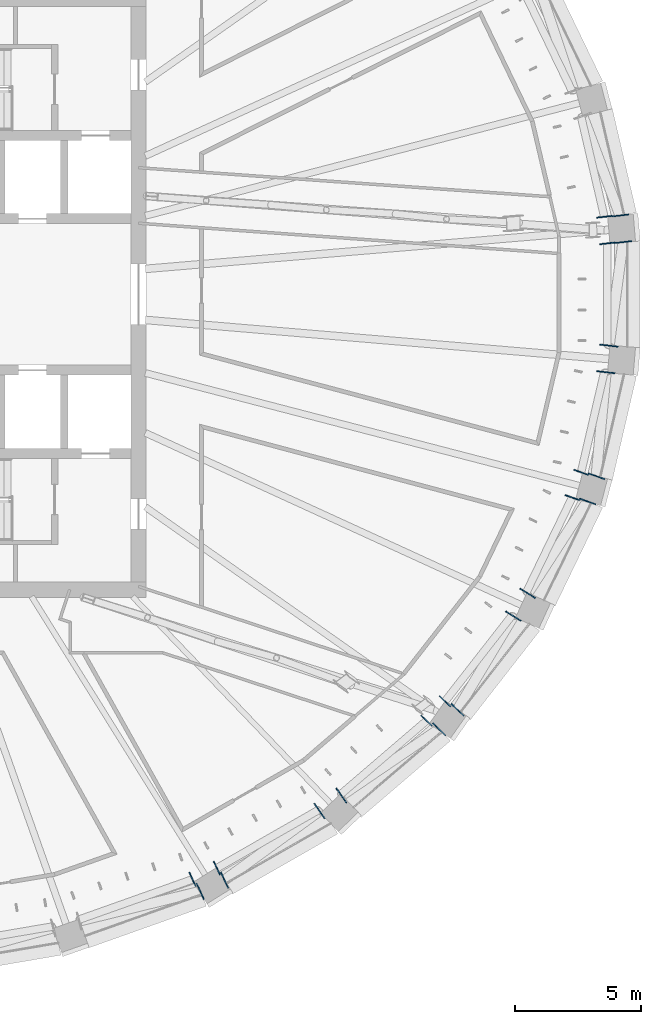
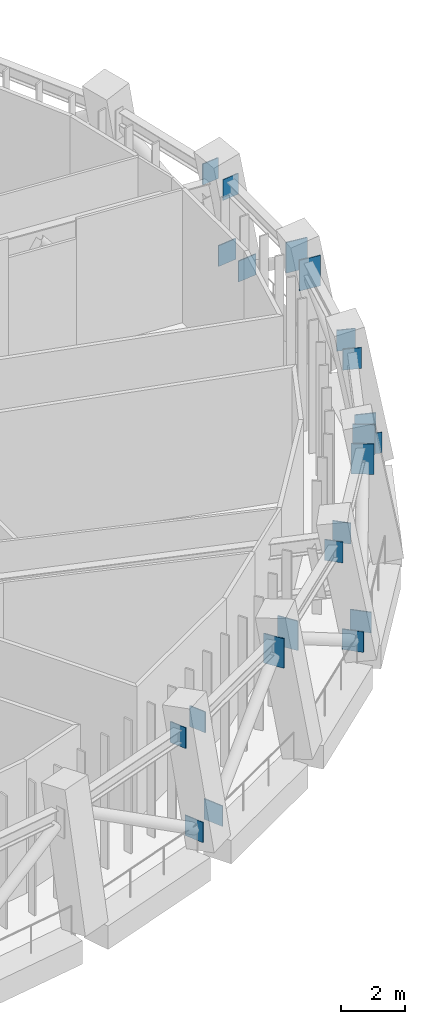
# One storey, part 13 of 20: 22 discrete accessories.
"""IFC4 building model written with IfcOpenShell, lengths in metres."""

from ifc_helpers import new_model, si_unit, direction, frame, origin, origin_2d, place, context, subcontext, project, spatial, rectangle, extrude, material, layer, layer_set, type_object, element, save


model = new_model("IFC4")

# Units and contexts
model_context = context("Model", 3, precision=1e-05, world=origin(), true_north=direction((0.0, 1.0)))
body_context = subcontext(model_context, "Body", "Model", "MODEL_VIEW")
ifc_project = project(units=[si_unit("LENGTHUNIT", "METRE"), si_unit("AREAUNIT", "SQUARE_METRE"), si_unit("VOLUMEUNIT", "CUBIC_METRE"), si_unit("PLANEANGLEUNIT", "RADIAN"), si_unit("MASSUNIT", "GRAM", prefix="KILO")], contexts=[model_context])

# Site, building, storey
site_placement = place(None, origin())
site = spatial("IfcSite", under=ifc_project, at=site_placement, CompositionType="ELEMENT")
building_placement = place(site_placement, origin())
building = spatial("IfcBuilding", under=site, at=building_placement, Name="Halqa Exchange Tower", CompositionType="ELEMENT")
storey_placement = place(building_placement, frame((0.0, 0.0, 250.89990234375)))
storey = spatial("IfcBuildingStorey", under=building, at=storey_placement, Name="L58", CompositionType="ELEMENT", Elevation=250.89990234375)

# Discrete accessories
ifc_material = material(Name="Steel S355", Category="steel")
ifc_layer = layer(ifc_material, 0.0400390625)
ifc_layer_set = layer_set([ifc_layer], Name="Steel S355")
discrete_accessory_type = type_object("IfcDiscreteAccessoryType", Name="Belt truss anchor plate 40", PredefinedType="ANCHORPLATE", material=ifc_layer_set)
for number, where, z_axis, x_axis, name in (
    (1, (30.159423828125, 3.055908203125, 4.25), (-0.115780500934, 0.993274823804, 0.0), (-0.993274823804, -0.115780500934, 0.0), "Belt truss anchor plate"),
    (2, (30.275390625, 2.04248046875, 4.25), (0.115780500934, -0.993274823804, 0.0), (0.993274823804, 0.115780500934, 0.0), "Belt truss anchor plate"),
):
    element("IfcDiscreteAccessory", number, at=place(storey_placement, frame(where, z_axis=z_axis, x_axis=x_axis)), inside=storey, type_object=discrete_accessory_type, Name=name, PredefinedType="ANCHORPLATE", context=body_context, shape_type="SweptSolid", body=[
        extrude(rectangle(XDim=0.60009765625, YDim=0.800048828125, at=origin_2d()), origin(), (0.0, 0.0, 1.0), 0.0400390625),
    ])
discrete_accessory_1_placement = place(storey_placement, frame((30.79296875, 3.107666015625, 0.8818359375), z_axis=(-0.116485527129, 0.993192389202, 0.0), x_axis=(-0.993192389202, -0.116485527129, 0.0)))
element("IfcDiscreteAccessory", 3, at=discrete_accessory_1_placement, inside=storey, type_object=discrete_accessory_type, Name="Belt truss anchor plate", PredefinedType="ANCHORPLATE", context=body_context, shape_type="SweptSolid", body=[
    extrude(rectangle(XDim=0.681884765625, YDim=0.798095703125, at=origin_2d()), origin(), (0.0, 0.0, 1.0), 0.039794921875),
])
discrete_accessory_2_placement = place(storey_placement, frame((30.90869140625, 2.093994140625, 0.88671875), z_axis=(0.110431526075, -0.993883734674, 0.0), x_axis=(0.993883734674, 0.110431526075, 0.0)))
element("IfcDiscreteAccessory", 4, at=discrete_accessory_2_placement, inside=storey, type_object=discrete_accessory_type, Name="Belt truss anchor plate", PredefinedType="ANCHORPLATE", context=body_context, shape_type="SweptSolid", body=[
    extrude(rectangle(XDim=0.679931640625, YDim=0.801025390625, at=origin_2d()), origin(), (0.0, 0.0, 1.0), 0.039794921875),
])
discrete_accessory_3_placement = place(storey_placement, frame((14.785400390625, -22.74267578125, 4.25), z_axis=(0.9097381412, 0.415182507393, 0.0), x_axis=(-0.415182507393, 0.9097381412, 0.0)))
element("IfcDiscreteAccessory", 5, at=discrete_accessory_3_placement, inside=storey, type_object=discrete_accessory_type, Name="Belt truss anchor plate", PredefinedType="ANCHORPLATE", context=body_context, shape_type="SweptSolid", body=[
    extrude(rectangle(XDim=0.60009765625, YDim=0.800048828125, at=origin_2d()), origin(), (0.0, 0.0, 1.0), 0.0400390625),
])
discrete_accessory_4_placement = place(storey_placement, frame((13.8583984375, -23.16845703125, 4.25), z_axis=(-0.908676843963, -0.417500171551, 0.0), x_axis=(0.417500171551, -0.908676843963, 0.0)))
element("IfcDiscreteAccessory", 6, at=discrete_accessory_4_placement, inside=storey, type_object=discrete_accessory_type, Name="Belt truss anchor plate", PredefinedType="ANCHORPLATE", context=body_context, shape_type="SweptSolid", body=[
    extrude(rectangle(XDim=0.60009765625, YDim=0.800048828125, at=origin_2d()), origin(), (0.0, 0.0, 1.0), 0.039794921875),
])
discrete_accessory_5_placement = place(storey_placement, frame((15.088623046875, -23.215087890625, 0.849365234375), z_axis=(0.90742390538, 0.420216439404, 0.0), x_axis=(-0.420216439404, 0.90742390538, 0.0)))
element("IfcDiscreteAccessory", 7, at=discrete_accessory_5_placement, inside=storey, type_object=discrete_accessory_type, Name="Belt truss anchor plate", PredefinedType="ANCHORPLATE", context=body_context, shape_type="SweptSolid", body=[
    extrude(rectangle(XDim=0.7060546875, YDim=0.785888671875, at=origin_2d()), origin(), (0.0, 0.0, 1.0), 0.0400390625),
])
discrete_accessory_6_placement = place(storey_placement, frame((14.16357421875, -23.64453125, 0.832275390625), z_axis=(-0.9097381412, -0.415182507393, 0.0), x_axis=(0.415182507393, -0.9097381412, 0.0)))
element("IfcDiscreteAccessory", 8, at=discrete_accessory_6_placement, inside=storey, type_object=discrete_accessory_type, Name="Belt truss anchor plate", PredefinedType="ANCHORPLATE", context=body_context, shape_type="SweptSolid", body=[
    extrude(rectangle(XDim=0.7060546875, YDim=0.779052734375, at=origin_2d()), origin(), (0.0, 0.0, 1.0), 0.0400390625),
])
discrete_accessory_7_placement = place(storey_placement, frame((19.720703125, -19.869140625, 4.083251953125), z_axis=(0.81865747399, 0.57428210862, 0.0), x_axis=(-0.57428210862, 0.81865747399, 0.0)))
element("IfcDiscreteAccessory", 9, at=discrete_accessory_7_placement, inside=storey, type_object=discrete_accessory_type, Name="Belt truss anchor plate", PredefinedType="ANCHORPLATE", context=body_context, shape_type="SweptSolid", body=[
    extrude(rectangle(XDim=0.7109375, YDim=1.134033203125, at=origin_2d()), origin(), (0.0, 0.0, 1.0), 0.0400390625),
])
discrete_accessory_8_placement = place(storey_placement, frame((18.886962890625, -20.45654296875, 4.08251953125), z_axis=(-0.81865747399, -0.57428210862, 0.0), x_axis=(0.57428210862, -0.81865747399, 0.0)))
element("IfcDiscreteAccessory", 10, at=discrete_accessory_8_placement, inside=storey, type_object=discrete_accessory_type, Name="Belt truss anchor plate", PredefinedType="ANCHORPLATE", context=body_context, shape_type="SweptSolid", body=[
    extrude(rectangle(XDim=0.7099609375, YDim=1.135009765625, at=origin_2d()), origin(), (0.0, 0.0, 1.0), 0.0400390625),
])
discrete_accessory_9_placement = place(storey_placement, frame((23.831787109375, -16.137939453125, 4.25), z_axis=(0.694812020929, 0.719191390085, 0.0), x_axis=(-0.719191390085, 0.694812020929, 0.0)))
element("IfcDiscreteAccessory", 11, at=discrete_accessory_9_placement, inside=storey, type_object=discrete_accessory_type, Name="Belt truss anchor plate", PredefinedType="ANCHORPLATE", context=body_context, shape_type="SweptSolid", body=[
    extrude(rectangle(XDim=0.60009765625, YDim=0.800048828125, at=origin_2d()), origin(), (0.0, 0.0, 1.0), 0.0400390625),
])
discrete_accessory_10_placement = place(storey_placement, frame((23.127685546875, -16.8759765625, 4.25), z_axis=(-0.691639439628, -0.722242954656, 0.0), x_axis=(0.722242954656, -0.691639439628, 0.0)))
element("IfcDiscreteAccessory", 12, at=discrete_accessory_10_placement, inside=storey, type_object=discrete_accessory_type, Name="Belt truss anchor plate", PredefinedType="ANCHORPLATE", context=body_context, shape_type="SweptSolid", body=[
    extrude(rectangle(XDim=0.60009765625, YDim=0.800048828125, at=origin_2d()), origin(), (0.0, 0.0, 1.0), 0.039794921875),
])
discrete_accessory_11_placement = place(storey_placement, frame((24.326416015625, -16.47509765625, 0.8720703125), z_axis=(0.691639439628, 0.722242954656, 0.0), x_axis=(-0.722242954656, 0.691639439628, 0.0)))
element("IfcDiscreteAccessory", 13, at=discrete_accessory_11_placement, inside=storey, type_object=discrete_accessory_type, Name="Belt truss anchor plate", PredefinedType="ANCHORPLATE", context=body_context, shape_type="SweptSolid", body=[
    extrude(rectangle(XDim=0.693115234375, YDim=0.794921875, at=origin_2d()), origin(), (0.0, 0.0, 1.0), 0.039794921875),
])
discrete_accessory_12_placement = place(storey_placement, frame((23.623779296875, -17.214599609375, 0.847412109375), z_axis=(-0.691639439628, -0.722242954656, 0.0), x_axis=(0.722242954656, -0.691639439628, 0.0)))
element("IfcDiscreteAccessory", 14, at=discrete_accessory_12_placement, inside=storey, type_object=discrete_accessory_type, Name="Belt truss anchor plate", PredefinedType="ANCHORPLATE", context=body_context, shape_type="SweptSolid", body=[
    extrude(rectangle(XDim=0.700927734375, YDim=0.784912109375, at=origin_2d()), origin(), (0.0, 0.0, 1.0), 0.039794921875),
])
discrete_accessory_13_placement = place(storey_placement, frame((27.103515625, -11.861572265625, 4.0712890625), z_axis=(0.526143980405, 0.850395503212, 0.0), x_axis=(-0.850395503212, 0.526143980405, 0.0)))
element("IfcDiscreteAccessory", 15, at=discrete_accessory_13_placement, inside=storey, type_object=discrete_accessory_type, Name="Belt truss anchor plate", PredefinedType="ANCHORPLATE", context=body_context, shape_type="SweptSolid", body=[
    extrude(rectangle(XDim=0.718017578125, YDim=1.157958984375, at=origin_2d()), origin(), (0.0, 0.0, 1.0), 0.039794921875),
])
discrete_accessory_14_placement = place(storey_placement, frame((26.564453125, -12.7275390625, 4.0703125), z_axis=(-0.530546985787, -0.847655529016, 0.0), x_axis=(0.847655529016, -0.530546985787, 0.0)))
element("IfcDiscreteAccessory", 16, at=discrete_accessory_14_placement, inside=storey, type_object=discrete_accessory_type, Name="Belt truss anchor plate", PredefinedType="ANCHORPLATE", context=body_context, shape_type="SweptSolid", body=[
    extrude(rectangle(XDim=0.717041015625, YDim=1.159912109375, at=origin_2d()), origin(), (0.0, 0.0, 1.0), 0.0400390625),
])
for number, where, z_axis, x_axis, name in (
    (17, (29.22802734375, -7.0693359375, 4.25), (0.336336396998, 0.941741911595, 0.0), (-0.941741911595, 0.336336396998, 0.0), "Belt truss anchor plate"),
    (18, (28.888916015625, -8.03125, 4.25), (-0.334409845171, -0.942427745481, 0.0), (0.942427745481, -0.334409845171, 0.0), "Belt truss anchor plate"),
):
    element("IfcDiscreteAccessory", number, at=place(storey_placement, frame(where, z_axis=z_axis, x_axis=x_axis)), inside=storey, type_object=discrete_accessory_type, Name=name, PredefinedType="ANCHORPLATE", context=body_context, shape_type="SweptSolid", body=[
        extrude(rectangle(XDim=0.60009765625, YDim=0.800048828125, at=origin_2d()), origin(), (0.0, 0.0, 1.0), 0.0400390625),
    ])
discrete_accessory_15_placement = place(storey_placement, frame((29.837158203125, -7.22265625, 0.8876953125), z_axis=(0.328993186606, 0.944332294887, 0.0), x_axis=(-0.944332294887, 0.328993186606, 0.0)))
element("IfcDiscreteAccessory", 19, at=discrete_accessory_15_placement, inside=storey, type_object=discrete_accessory_type, Name="Belt truss anchor plate", PredefinedType="ANCHORPLATE", context=body_context, shape_type="SweptSolid", body=[
    extrude(rectangle(XDim=0.680908203125, YDim=0.801025390625, at=origin_2d()), origin(), (0.0, 0.0, 1.0), 0.0400390625),
])
discrete_accessory_16_placement = place(storey_placement, frame((29.499267578125, -8.18505859375, 0.871826171875), z_axis=(-0.330896267797, -0.943667134088, 0.0), x_axis=(0.943667134088, -0.330896267797, 0.0)))
element("IfcDiscreteAccessory", 20, at=discrete_accessory_16_placement, inside=storey, type_object=discrete_accessory_type, Name="Belt truss anchor plate", PredefinedType="ANCHORPLATE", context=body_context, shape_type="SweptSolid", body=[
    extrude(rectangle(XDim=0.68701171875, YDim=0.7939453125, at=origin_2d()), origin(), (0.0, 0.0, 1.0), 0.039794921875),
])
discrete_accessory_17_placement = place(storey_placement, frame((30.33642578125, -2.049560546875, 4.0625), z_axis=(0.115780500934, 0.993274823804, 0.0), x_axis=(-0.993274823804, 0.115780500934, 0.0)))
element("IfcDiscreteAccessory", 21, at=discrete_accessory_17_placement, inside=storey, type_object=discrete_accessory_type, Name="Belt truss anchor plate", PredefinedType="ANCHORPLATE", context=body_context, shape_type="SweptSolid", body=[
    extrude(rectangle(XDim=0.722900390625, YDim=1.175048828125, at=origin_2d()), origin(), (0.0, 0.0, 1.0), 0.0400390625),
])
discrete_accessory_18_placement = place(storey_placement, frame((30.22021484375, -3.062744140625, 4.062255859375), z_axis=(-0.109762219212, -0.993957873973, 0.0), x_axis=(0.993957873973, -0.109762219212, 0.0)))
element("IfcDiscreteAccessory", 22, at=discrete_accessory_18_placement, inside=storey, type_object=discrete_accessory_type, Name="Belt truss anchor plate", PredefinedType="ANCHORPLATE", context=body_context, shape_type="SweptSolid", body=[
    extrude(rectangle(XDim=0.722900390625, YDim=1.176025390625, at=origin_2d()), origin(), (0.0, 0.0, 1.0), 0.0400390625),
])

save(model, "model.ifc")
